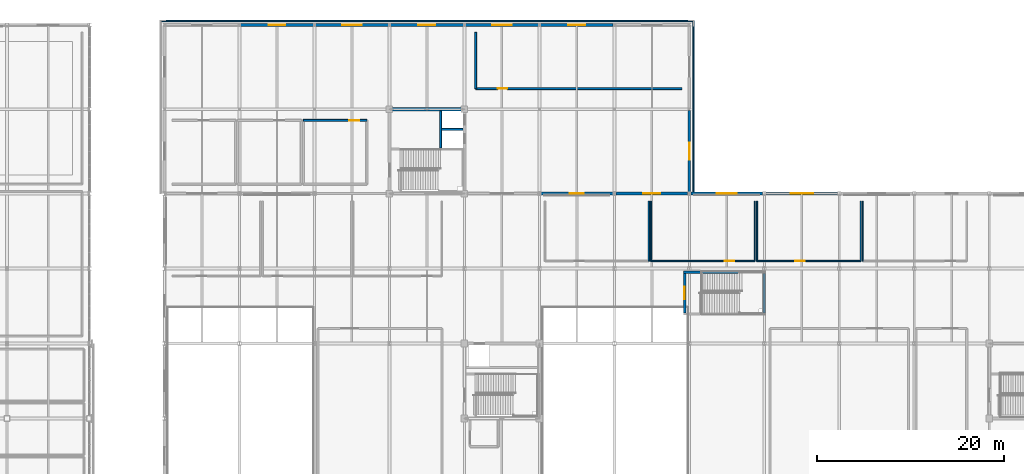
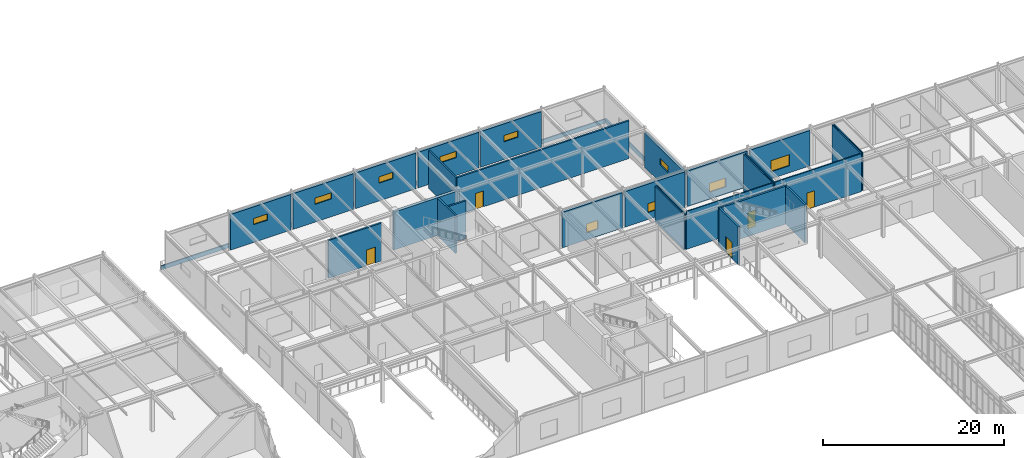
# One storey, part 167 of 184: 29 walls, 10 windows, 5 doors, 15 openings.
"""IFC4 building model written with IfcOpenShell, lengths in metres."""

from ifc_helpers import new_model, si_unit, direction, frame, frame_2d, origin, place, context, subcontext, project, spatial, rectangle, extrude, material, layer, layer_set, type_object, element, fill, save


model = new_model("IFC4")

# Units and contexts
model_context = context("Model", 3, precision=1e-05, world=origin(), true_north=direction((0.0, 1.0)))
body_context = subcontext(model_context, "Body", "Model", "MODEL_VIEW")
ifc_project = project(units=[si_unit("LENGTHUNIT", "METRE"), si_unit("AREAUNIT", "SQUARE_METRE"), si_unit("VOLUMEUNIT", "CUBIC_METRE"), si_unit("PLANEANGLEUNIT", "RADIAN"), si_unit("MASSUNIT", "GRAM", prefix="KILO")], contexts=[model_context])

# Site, building, storey
site_placement = place(None, origin())
site = spatial("IfcSite", under=ifc_project, at=site_placement, CompositionType="ELEMENT")
building_placement = place(site_placement, origin())
building = spatial("IfcBuilding", under=site, at=building_placement, Name="Zhaolan Boulevard Law Courts", CompositionType="ELEMENT")
storey_placement = place(building_placement, frame((0.0, 0.0, 5.39990234375)))
storey = spatial("IfcBuildingStorey", under=building, at=storey_placement, Name="L01", CompositionType="ELEMENT", Elevation=5.39990234375)

# Walls
ifc_material_1 = material(Name="Concrete C50", Category="concrete")
ifc_layer_1 = layer(ifc_material_1, 0.35009765625)
ifc_layer_set_1 = layer_set([ifc_layer_1])
wall_type_1 = type_object("IfcWallType", Name="CORE SHEAR WALL 350", PredefinedType="SHEAR", material=ifc_layer_set_1)
wall_1_placement = place(storey_placement, frame((84.175048828125, 103.0, 0.0), z_axis=(0.0, 0.0, 1.0), x_axis=(-1.0, 0.0, 0.0)))
element("IfcWall", 1, at=wall_1_placement, inside=storey, type_object=wall_type_1, Name="Core Shear Wall CW-C1-L01N", PredefinedType="SHEAR", context=body_context, shape_type="SweptSolid", body=[
    extrude(rectangle(XDim=8.35009765625, YDim=0.35009765625, at=frame_2d((4.175048828125, 0.0))), origin(), (0.0, 0.0, 1.0), 5.1201171875),
])
ifc_material_2 = material(Name="Concrete C40", Category="concrete")
ifc_layer_2 = layer(ifc_material_2, 0.159912109375)
ifc_layer_set_2 = layer_set([ifc_layer_2])
wall_type_2 = type_object("IfcWallType", Name="EXT WALL ARCH CLAD160", PredefinedType="SOLIDWALL", material=ifc_layer_set_2)
wall_2_placement = place(storey_placement, frame((108.419921875, 112.419921875, 0.0), z_axis=(0.0, 0.0, 1.0), x_axis=(-1.0, 0.0, 0.0)))
element("IfcWall", 2, at=wall_2_placement, inside=storey, type_object=wall_type_2, Name="Custody Concrete Spandrel Band CBW-253", PredefinedType="SOLIDWALL", context=body_context, shape_type="SweptSolid", body=[
    extrude(rectangle(XDim=56.83984375, YDim=0.159912109375, at=frame_2d((28.419921875, 0.0))), origin(), (0.0, 0.0, 1.0), 0.550048828125),
])
wall_3_placement = place(storey_placement, frame((108.419921875, 94.0, 0.0), z_axis=(0.0, 0.0, 1.0), x_axis=(0.0, 1.0, 0.0)))
element("IfcWall", 3, at=wall_3_placement, inside=storey, type_object=wall_type_2, Name="Custody Concrete Spandrel Band CBW-254", PredefinedType="SOLIDWALL", context=body_context, shape_type="SweptSolid", body=[
    extrude(rectangle(XDim=18.419921875, YDim=0.159912109375, at=frame_2d((9.2099609375, 0.0))), origin(), (0.0, 0.0, 1.0), 0.550048828125),
])

# Wall, opening, window
ifc_material_3 = material(Name="Concrete C40", Category="concrete")
ifc_layer_3 = layer(ifc_material_3, 0.300048828125)
ifc_layer_set_3 = layer_set([ifc_layer_3])
wall_type_3 = type_object("IfcWallType", Name="EXT WALL CONCRETE300", PredefinedType="SOLIDWALL", material=ifc_layer_set_3)
wall_4_placement = place(storey_placement, frame((99.8291015625, 94.0, 0.0), z_axis=(0.0, 0.0, 1.0), x_axis=(-1.0, 0.0, 0.0)))
wall_4 = element("IfcWall", 4, at=wall_4_placement, inside=storey, type_object=wall_type_3, Name="Exterior Wall EW-L01-220", PredefinedType="SOLIDWALL", context=body_context, shape_type="SweptSolid", body=[
    extrude(rectangle(XDim=7.658203125, YDim=0.300048828125, at=frame_2d((3.8291015625, 0.0))), origin(), (0.0, 0.0, 1.0), 4.802978515625),
])
opening_1_placement = place(wall_4_placement, frame((3.0791015625, 0.0, 0.949951171875)))
opening_1 = element("IfcOpeningElement", 5, at=opening_1_placement, cuts=wall_4, Name="Opening WIN-L01-077", PredefinedType="OPENING", context=body_context, shape_type="SweptSolid", body=[
    extrude(rectangle(XDim=1.5, YDim=1.199951171875, at=frame_2d((0.75, 0.60009765625))), frame((0.0, 0.159912109375, 0.0), z_axis=(0.0, -1.0, 0.0), x_axis=(1.0, 0.0, 0.0)), (0.0, 0.0, 1.0), 0.320068359375),
])
ifc_material_4 = material(Name="Thermally broken aluminium and low-E glazing", Category="aluminium")
window_type_1 = type_object("IfcWindowType", Name="WINDOW 1500X1200", PartitioningType="SINGLE_PANEL", PredefinedType="WINDOW", material=ifc_material_4)
window_1_placement = place(opening_1_placement, origin())
window_1 = element("IfcWindow", 6, at=window_1_placement, inside=storey, type_object=window_type_1, Name="Exterior Window WIN-L01-077", OverallHeight=1.199951171875, OverallWidth=1.5, PartitioningType="SINGLE_PANEL", PredefinedType="WINDOW", context=body_context, shape_type="SweptSolid", body=[
    extrude(rectangle(XDim=1.5, YDim=1.199951171875, at=frame_2d((0.75, 0.60009765625))), frame((0.0, 0.030029296875, 0.0), z_axis=(0.0, -1.0, 0.0), x_axis=(1.0, 0.0, 0.0)), (0.0, 0.0, 1.0), 0.06005859375),
])
fill(opening_1, window_1)

wall_5_placement = place(storey_placement, frame((107.8291015625, 94.0, 0.0), z_axis=(0.0, 0.0, 1.0), x_axis=(-1.0, 0.0, 0.0)))
wall_5 = element("IfcWall", 7, at=wall_5_placement, inside=storey, type_object=wall_type_3, Name="Exterior Wall EW-L01-221", PredefinedType="SOLIDWALL", context=body_context, shape_type="SweptSolid", body=[
    extrude(rectangle(XDim=7.658203125, YDim=0.300048828125, at=frame_2d((3.8291015625, 0.0))), origin(), (0.0, 0.0, 1.0), 4.802978515625),
])
opening_2_placement = place(wall_5_placement, frame((2.928955078125, 0.0, 0.949951171875)))
opening_2 = element("IfcOpeningElement", 8, at=opening_2_placement, cuts=wall_5, Name="Opening WIN-L01-078", PredefinedType="OPENING", context=body_context, shape_type="SweptSolid", body=[
    extrude(rectangle(XDim=1.800048828125, YDim=1.199951171875, at=frame_2d((0.89990234375, 0.60009765625))), frame((0.0, 0.159912109375, 0.0), z_axis=(0.0, -1.0, 0.0), x_axis=(1.0, 0.0, 0.0)), (0.0, 0.0, 1.0), 0.320068359375),
])
ifc_material_5 = material(Name="Thermally broken aluminium and low-E glazing", Category="aluminium")
window_type_2 = type_object("IfcWindowType", Name="WINDOW 1800X1200", PartitioningType="DOUBLE_PANEL_VERTICAL", PredefinedType="WINDOW", material=ifc_material_5)
window_2_placement = place(opening_2_placement, origin())
window_2 = element("IfcWindow", 9, at=window_2_placement, inside=storey, type_object=window_type_2, Name="Exterior Window WIN-L01-078", OverallHeight=1.199951171875, OverallWidth=1.800048828125, PartitioningType="SINGLE_PANEL", PredefinedType="WINDOW", context=body_context, shape_type="SweptSolid", body=[
    extrude(rectangle(XDim=1.800048828125, YDim=1.199951171875, at=frame_2d((0.89990234375, 0.60009765625))), frame((0.0, 0.030029296875, 0.0), z_axis=(0.0, -1.0, 0.0), x_axis=(1.0, 0.0, 0.0)), (0.0, 0.0, 1.0), 0.06005859375),
])
fill(opening_2, window_2)

wall_6_placement = place(storey_placement, frame((115.8291015625, 94.0, 0.0), z_axis=(0.0, 0.0, 1.0), x_axis=(-1.0, 0.0, 0.0)))
wall_6 = element("IfcWall", 10, at=wall_6_placement, inside=storey, type_object=wall_type_3, Name="Exterior Wall EW-L01-222", PredefinedType="SOLIDWALL", context=body_context, shape_type="SweptSolid", body=[
    extrude(rectangle(XDim=7.658203125, YDim=0.300048828125, at=frame_2d((3.8291015625, 0.0))), origin(), (0.0, 0.0, 1.0), 4.802978515625),
])
opening_3_placement = place(wall_6_placement, frame((2.779052734375, 0.0, 0.949951171875)))
opening_3 = element("IfcOpeningElement", 11, at=opening_3_placement, cuts=wall_6, Name="Opening WIN-L01-079", PredefinedType="OPENING", context=body_context, shape_type="SweptSolid", body=[
    extrude(rectangle(XDim=2.10009765625, YDim=1.199951171875, at=frame_2d((1.050048828125, 0.60009765625))), frame((0.0, 0.159912109375, 0.0), z_axis=(0.0, -1.0, 0.0), x_axis=(1.0, 0.0, 0.0)), (0.0, 0.0, 1.0), 0.320068359375),
])
ifc_material_6 = material(Name="Thermally broken aluminium and low-E glazing", Category="aluminium")
window_type_3 = type_object("IfcWindowType", Name="WINDOW 2100X1200", PartitioningType="DOUBLE_PANEL_VERTICAL", PredefinedType="WINDOW", material=ifc_material_6)
window_3_placement = place(opening_3_placement, origin())
window_3 = element("IfcWindow", 12, at=window_3_placement, inside=storey, type_object=window_type_3, Name="Exterior Window WIN-L01-079", OverallHeight=1.199951171875, OverallWidth=2.10009765625, PartitioningType="SINGLE_PANEL", PredefinedType="WINDOW", context=body_context, shape_type="SweptSolid", body=[
    extrude(rectangle(XDim=2.10009765625, YDim=1.199951171875, at=frame_2d((1.050048828125, 0.60009765625))), frame((0.0, 0.030029296875, 0.0), z_axis=(0.0, -1.0, 0.0), x_axis=(1.0, 0.0, 0.0)), (0.0, 0.0, 1.0), 0.06005859375),
])
fill(opening_3, window_3)

wall_7_placement = place(storey_placement, frame((123.8291015625, 94.0, 0.0), z_axis=(0.0, 0.0, 1.0), x_axis=(-1.0, 0.0, 0.0)))
wall_7 = element("IfcWall", 13, at=wall_7_placement, inside=storey, type_object=wall_type_3, Name="Exterior Wall EW-L01-223", PredefinedType="SOLIDWALL", context=body_context, shape_type="SweptSolid", body=[
    extrude(rectangle(XDim=7.658203125, YDim=0.300048828125, at=frame_2d((3.8291015625, 0.0))), origin(), (0.0, 0.0, 1.0), 4.802978515625),
])
opening_4_placement = place(wall_7_placement, frame((2.62890625, 0.0, 0.949951171875)))
opening_4 = element("IfcOpeningElement", 14, at=opening_4_placement, cuts=wall_7, Name="Opening WIN-L01-080", PredefinedType="OPENING", context=body_context, shape_type="SweptSolid", body=[
    extrude(rectangle(XDim=2.39990234375, YDim=1.5, at=frame_2d((1.199951171875, 0.75))), frame((0.0, 0.159912109375, 0.0), z_axis=(0.0, -1.0, 0.0), x_axis=(1.0, 0.0, 0.0)), (0.0, 0.0, 1.0), 0.320068359375),
])
ifc_material_7 = material(Name="Thermally broken aluminium and low-E glazing", Category="aluminium")
window_type_4 = type_object("IfcWindowType", Name="WINDOW 2400X1500", PartitioningType="DOUBLE_PANEL_VERTICAL", PredefinedType="WINDOW", material=ifc_material_7)
window_4_placement = place(opening_4_placement, origin())
window_4 = element("IfcWindow", 15, at=window_4_placement, inside=storey, type_object=window_type_4, Name="Exterior Window WIN-L01-080", OverallHeight=1.5, OverallWidth=2.39990234375, PartitioningType="SINGLE_PANEL", PredefinedType="WINDOW", context=body_context, shape_type="SweptSolid", body=[
    extrude(rectangle(XDim=2.39990234375, YDim=1.5, at=frame_2d((1.199951171875, 0.75))), frame((0.0, 0.030029296875, 0.0), z_axis=(0.0, -1.0, 0.0), x_axis=(1.0, 0.0, 0.0)), (0.0, 0.0, 1.0), 0.06005859375),
])
fill(opening_4, window_4)

wall_8_placement = place(storey_placement, frame((67.87890625, 112.0, 0.0), z_axis=(0.0, 0.0, 1.0), x_axis=(-1.0, 0.0, 0.0)))
wall_8 = element("IfcWall", 16, at=wall_8_placement, inside=storey, type_object=wall_type_3, Name="Exterior Wall EW-L01-318", PredefinedType="SOLIDWALL", context=body_context, shape_type="SweptSolid", body=[
    extrude(rectangle(XDim=7.7578125, YDim=0.300048828125, at=frame_2d((3.87890625, 0.0))), origin(), (0.0, 0.0, 1.0), 4.822998046875),
])
opening_5_placement = place(wall_8_placement, frame((2.97900390625, 0.0, 2.39990234375)))
opening_5 = element("IfcOpeningElement", 17, at=opening_5_placement, cuts=wall_8, Name="Opening WIN-L01-173", PredefinedType="OPENING", context=body_context, shape_type="SweptSolid", body=[
    extrude(rectangle(XDim=1.800048828125, YDim=0.85009765625, at=frame_2d((0.89990234375, 0.425048828125))), frame((0.0, 0.159912109375, 0.0), z_axis=(0.0, -1.0, 0.0), x_axis=(1.0, 0.0, 0.0)), (0.0, 0.0, 1.0), 0.320068359375),
])
ifc_material_8 = material(Name="Thermally broken aluminium and low-E glazing", Category="aluminium")
window_type_5 = type_object("IfcWindowType", Name="WINDOW 1800X850", PartitioningType="DOUBLE_PANEL_VERTICAL", PredefinedType="WINDOW", material=ifc_material_8)
window_5_placement = place(opening_5_placement, origin())
window_5 = element("IfcWindow", 18, at=window_5_placement, inside=storey, type_object=window_type_5, Name="Exterior Window WIN-L01-173", OverallHeight=0.85009765625, OverallWidth=1.800048828125, PartitioningType="SINGLE_PANEL", PredefinedType="WINDOW", context=body_context, shape_type="SweptSolid", body=[
    extrude(rectangle(XDim=1.800048828125, YDim=0.85009765625, at=frame_2d((0.89990234375, 0.425048828125))), frame((0.0, 0.030029296875, 0.0), z_axis=(0.0, -1.0, 0.0), x_axis=(1.0, 0.0, 0.0)), (0.0, 0.0, 1.0), 0.06005859375),
])
fill(opening_5, window_5)

wall_9_placement = place(storey_placement, frame((75.87890625, 112.0, 0.0), z_axis=(0.0, 0.0, 1.0), x_axis=(-1.0, 0.0, 0.0)))
wall_9 = element("IfcWall", 19, at=wall_9_placement, inside=storey, type_object=wall_type_3, Name="Exterior Wall EW-L01-319", PredefinedType="SOLIDWALL", context=body_context, shape_type="SweptSolid", body=[
    extrude(rectangle(XDim=7.7578125, YDim=0.300048828125, at=frame_2d((3.87890625, 0.0))), origin(), (0.0, 0.0, 1.0), 4.822998046875),
])
opening_6_placement = place(wall_9_placement, frame((2.8291015625, 0.0, 2.39990234375)))
opening_6 = element("IfcOpeningElement", 20, at=opening_6_placement, cuts=wall_9, Name="Opening WIN-L01-174", PredefinedType="OPENING", context=body_context, shape_type="SweptSolid", body=[
    extrude(rectangle(XDim=2.10009765625, YDim=0.85009765625, at=frame_2d((1.050048828125, 0.425048828125))), frame((0.0, 0.159912109375, 0.0), z_axis=(0.0, -1.0, 0.0), x_axis=(1.0, 0.0, 0.0)), (0.0, 0.0, 1.0), 0.320068359375),
])
ifc_material_9 = material(Name="Thermally broken aluminium and low-E glazing", Category="aluminium")
window_type_6 = type_object("IfcWindowType", Name="WINDOW 2100X850", PartitioningType="DOUBLE_PANEL_VERTICAL", PredefinedType="WINDOW", material=ifc_material_9)
window_6_placement = place(opening_6_placement, origin())
window_6 = element("IfcWindow", 21, at=window_6_placement, inside=storey, type_object=window_type_6, Name="Exterior Window WIN-L01-174", OverallHeight=0.85009765625, OverallWidth=2.10009765625, PartitioningType="SINGLE_PANEL", PredefinedType="WINDOW", context=body_context, shape_type="SweptSolid", body=[
    extrude(rectangle(XDim=2.10009765625, YDim=0.85009765625, at=frame_2d((1.050048828125, 0.425048828125))), frame((0.0, 0.030029296875, 0.0), z_axis=(0.0, -1.0, 0.0), x_axis=(1.0, 0.0, 0.0)), (0.0, 0.0, 1.0), 0.06005859375),
])
fill(opening_6, window_6)

wall_10_placement = place(storey_placement, frame((83.87890625, 112.0, 0.0), z_axis=(0.0, 0.0, 1.0), x_axis=(-1.0, 0.0, 0.0)))
wall_10 = element("IfcWall", 22, at=wall_10_placement, inside=storey, type_object=wall_type_3, Name="Exterior Wall EW-L01-320", PredefinedType="SOLIDWALL", context=body_context, shape_type="SweptSolid", body=[
    extrude(rectangle(XDim=7.7578125, YDim=0.300048828125, at=frame_2d((3.87890625, 0.0))), origin(), (0.0, 0.0, 1.0), 4.822998046875),
])
opening_7_placement = place(wall_10_placement, frame((2.97900390625, 0.0, 2.39990234375)))
opening_7 = element("IfcOpeningElement", 23, at=opening_7_placement, cuts=wall_10, Name="Opening WIN-L01-175", PredefinedType="OPENING", context=body_context, shape_type="SweptSolid", body=[
    extrude(rectangle(XDim=1.800048828125, YDim=0.85009765625, at=frame_2d((0.89990234375, 0.425048828125))), frame((0.0, 0.159912109375, 0.0), z_axis=(0.0, -1.0, 0.0), x_axis=(1.0, 0.0, 0.0)), (0.0, 0.0, 1.0), 0.320068359375),
])
window_7_placement = place(opening_7_placement, origin())
window_7 = element("IfcWindow", 24, at=window_7_placement, inside=storey, type_object=window_type_5, Name="Exterior Window WIN-L01-175", OverallHeight=0.85009765625, OverallWidth=1.800048828125, PartitioningType="SINGLE_PANEL", PredefinedType="WINDOW", context=body_context, shape_type="SweptSolid", body=[
    extrude(rectangle(XDim=1.800048828125, YDim=0.85009765625, at=frame_2d((0.89990234375, 0.425048828125))), frame((0.0, 0.030029296875, 0.0), z_axis=(0.0, -1.0, 0.0), x_axis=(1.0, 0.0, 0.0)), (0.0, 0.0, 1.0), 0.06005859375),
])
fill(opening_7, window_7)

wall_11_placement = place(storey_placement, frame((91.87890625, 112.0, 0.0), z_axis=(0.0, 0.0, 1.0), x_axis=(-1.0, 0.0, 0.0)))
wall_11 = element("IfcWall", 25, at=wall_11_placement, inside=storey, type_object=wall_type_3, Name="Exterior Wall EW-L01-321", PredefinedType="SOLIDWALL", context=body_context, shape_type="SweptSolid", body=[
    extrude(rectangle(XDim=7.7578125, YDim=0.300048828125, at=frame_2d((3.87890625, 0.0))), origin(), (0.0, 0.0, 1.0), 4.822998046875),
])
opening_8_placement = place(wall_11_placement, frame((2.8291015625, 0.0, 2.39990234375)))
opening_8 = element("IfcOpeningElement", 26, at=opening_8_placement, cuts=wall_11, Name="Opening WIN-L01-176", PredefinedType="OPENING", context=body_context, shape_type="SweptSolid", body=[
    extrude(rectangle(XDim=2.10009765625, YDim=0.85009765625, at=frame_2d((1.050048828125, 0.425048828125))), frame((0.0, 0.159912109375, 0.0), z_axis=(0.0, -1.0, 0.0), x_axis=(1.0, 0.0, 0.0)), (0.0, 0.0, 1.0), 0.320068359375),
])
window_8_placement = place(opening_8_placement, origin())
window_8 = element("IfcWindow", 27, at=window_8_placement, inside=storey, type_object=window_type_6, Name="Exterior Window WIN-L01-176", OverallHeight=0.85009765625, OverallWidth=2.10009765625, PartitioningType="SINGLE_PANEL", PredefinedType="WINDOW", context=body_context, shape_type="SweptSolid", body=[
    extrude(rectangle(XDim=2.10009765625, YDim=0.85009765625, at=frame_2d((1.050048828125, 0.425048828125))), frame((0.0, 0.030029296875, 0.0), z_axis=(0.0, -1.0, 0.0), x_axis=(1.0, 0.0, 0.0)), (0.0, 0.0, 1.0), 0.06005859375),
])
fill(opening_8, window_8)

wall_12_placement = place(storey_placement, frame((99.87890625, 112.0, 0.0), z_axis=(0.0, 0.0, 1.0), x_axis=(-1.0, 0.0, 0.0)))
wall_12 = element("IfcWall", 28, at=wall_12_placement, inside=storey, type_object=wall_type_3, Name="Exterior Wall EW-L01-322", PredefinedType="SOLIDWALL", context=body_context, shape_type="SweptSolid", body=[
    extrude(rectangle(XDim=7.7578125, YDim=0.300048828125, at=frame_2d((3.87890625, 0.0))), origin(), (0.0, 0.0, 1.0), 4.822998046875),
])
opening_9_placement = place(wall_12_placement, frame((2.97900390625, 0.0, 2.39990234375)))
opening_9 = element("IfcOpeningElement", 29, at=opening_9_placement, cuts=wall_12, Name="Opening WIN-L01-177", PredefinedType="OPENING", context=body_context, shape_type="SweptSolid", body=[
    extrude(rectangle(XDim=1.800048828125, YDim=0.85009765625, at=frame_2d((0.89990234375, 0.425048828125))), frame((0.0, 0.159912109375, 0.0), z_axis=(0.0, -1.0, 0.0), x_axis=(1.0, 0.0, 0.0)), (0.0, 0.0, 1.0), 0.320068359375),
])
window_9_placement = place(opening_9_placement, origin())
window_9 = element("IfcWindow", 30, at=window_9_placement, inside=storey, type_object=window_type_5, Name="Exterior Window WIN-L01-177", OverallHeight=0.85009765625, OverallWidth=1.800048828125, PartitioningType="SINGLE_PANEL", PredefinedType="WINDOW", context=body_context, shape_type="SweptSolid", body=[
    extrude(rectangle(XDim=1.800048828125, YDim=0.85009765625, at=frame_2d((0.89990234375, 0.425048828125))), frame((0.0, 0.030029296875, 0.0), z_axis=(0.0, -1.0, 0.0), x_axis=(1.0, 0.0, 0.0)), (0.0, 0.0, 1.0), 0.06005859375),
])
fill(opening_9, window_9)

wall_13_placement = place(storey_placement, frame((108.0, 94.1708984375, 0.0), z_axis=(0.0, 0.0, 1.0), x_axis=(0.0, 1.0, 0.0)))
wall_13 = element("IfcWall", 31, at=wall_13_placement, inside=storey, type_object=wall_type_3, Name="Exterior Wall EW-L01-326", PredefinedType="SOLIDWALL", context=body_context, shape_type="SweptSolid", body=[
    extrude(rectangle(XDim=8.7080078125, YDim=0.300048828125, at=frame_2d((4.35400390625, 0.0))), origin(), (0.0, 0.0, 1.0), 4.64111328125),
])
opening_10_placement = place(wall_13_placement, frame((3.428955078125, 0.0, 2.39990234375)))
opening_10 = element("IfcOpeningElement", 32, at=opening_10_placement, cuts=wall_13, Name="Opening WIN-L01-181", PredefinedType="OPENING", context=body_context, shape_type="SweptSolid", body=[
    extrude(rectangle(XDim=1.800048828125, YDim=0.85009765625, at=frame_2d((0.89990234375, 0.425048828125))), frame((0.0, 0.159912109375, 0.0), z_axis=(0.0, -1.0, 0.0), x_axis=(1.0, 0.0, 0.0)), (0.0, 0.0, 1.0), 0.320068359375),
])
window_10_placement = place(opening_10_placement, origin())
window_10 = element("IfcWindow", 33, at=window_10_placement, inside=storey, type_object=window_type_5, Name="Exterior Window WIN-L01-181", OverallHeight=0.85009765625, OverallWidth=1.800048828125, PartitioningType="SINGLE_PANEL", PredefinedType="WINDOW", context=body_context, shape_type="SweptSolid", body=[
    extrude(rectangle(XDim=1.800048828125, YDim=0.85009765625, at=frame_2d((0.89990234375, 0.425048828125))), frame((0.0, 0.030029296875, 0.0), z_axis=(0.0, -1.0, 0.0), x_axis=(1.0, 0.0, 0.0)), (0.0, 0.0, 1.0), 0.06005859375),
])
fill(opening_10, window_10)

# Walls
ifc_material_10 = material(Name="Concrete C40", Category="concrete")
ifc_layer_4 = layer(ifc_material_10, 0.2099609375)
ifc_layer_set_4 = layer_set([ifc_layer_4])
wall_type_4 = type_object("IfcWallType", Name="PART WALL CUSTODY210", PredefinedType="PARTITIONING", material=ifc_layer_set_4)
wall_14_placement = place(storey_placement, frame((81.465087890625, 98.8720703125, 0.0), z_axis=(0.0, 0.0, 1.0), x_axis=(0.0, 1.0, 0.0)))
element("IfcWall", 34, at=wall_14_placement, inside=storey, type_object=wall_type_4, Name="Lift Shaft Enclosure Wall C1W (L01)", PredefinedType="PARTITIONING", context=body_context, shape_type="SweptSolid", body=[
    extrude(rectangle(XDim=3.950927734375, YDim=0.2099609375, at=frame_2d((1.9755859375, 0.0))), origin(), (0.0, 0.0, 1.0), 5.1201171875),
])
wall_15_placement = place(storey_placement, frame((81.572021484375, 100.85009765625, 0.0), z_axis=(0.0, 0.0, 1.0), x_axis=(1.0, 0.0, 0.0)))
element("IfcWall", 35, at=wall_15_placement, inside=storey, type_object=wall_type_4, Name="Lift Shaft Divider Wall C1 (L01)", PredefinedType="PARTITIONING", context=body_context, shape_type="SweptSolid", body=[
    extrude(rectangle(XDim=2.2509765625, YDim=0.2099609375, at=frame_2d((1.12548828125, 0.0))), origin(), (0.0, 0.0, 1.0), 5.1201171875),
])

# Wall, opening, door
wall_16_placement = place(storey_placement, frame((73.60009765625, 101.800048828125, 0.0), z_axis=(0.0, 0.0, 1.0), x_axis=(-1.0, 0.0, 0.0)))
wall_16 = element("IfcWall", 36, at=wall_16_placement, inside=storey, type_object=wall_type_4, Name="Interior Partition PW-L01-431", PredefinedType="PARTITIONING", context=body_context, shape_type="SweptSolid", body=[
    extrude(rectangle(XDim=6.787109375, YDim=0.2099609375, at=frame_2d((3.3935546875, 0.0))), origin(), (0.0, 0.0, 1.0), 5.1201171875),
])
opening_11_placement = place(wall_16_placement, frame((0.80908203125, 0.0, 0.0)))
opening_11 = element("IfcOpeningElement", 37, at=opening_11_placement, cuts=wall_16, Name="Opening CD-L01-133", PredefinedType="OPENING", context=body_context, shape_type="SweptSolid", body=[
    extrude(rectangle(XDim=1.10009765625, YDim=2.14990234375, at=frame_2d((0.550048828125, 1.074951171875))), frame((0.0, 0.114990234375, 0.0), z_axis=(0.0, -1.0, 0.0), x_axis=(1.0, 0.0, 0.0)), (0.0, 0.0, 1.0), 0.22998046875),
])
ifc_material_11 = material(Name="Fire-rated steel acoustic door", Category="steel")
door_type_1 = type_object("IfcDoorType", Name="CUSTODY DOOR 1100X2150 L", OperationType="SINGLE_SWING_LEFT", PredefinedType="DOOR", material=ifc_material_11)
door_1_placement = place(opening_11_placement, origin())
door_1 = element("IfcDoor", 38, at=door_1_placement, inside=storey, type_object=door_type_1, Name="Door CD-L01-133 (Custody Suite Cell L01-03)", OperationType="SINGLE_SWING_LEFT", OverallHeight=2.14990234375, OverallWidth=1.10009765625, PredefinedType="DOOR", context=body_context, shape_type="SweptSolid", body=[
    extrude(rectangle(XDim=1.10009765625, YDim=2.14990234375, at=frame_2d((0.550048828125, 1.074951171875))), frame((0.0, 0.02490234375, 0.0), z_axis=(0.0, -1.0, 0.0), x_axis=(1.0, 0.0, 0.0)), (0.0, 0.0, 1.0), 0.050048828125),
])
fill(opening_11, door_1)

wall_17_placement = place(storey_placement, frame((85.199951171875, 105.199951171875, 0.0), z_axis=(0.0, 0.0, 1.0), x_axis=(1.0, 0.0, 0.0)))
wall_17 = element("IfcWall", 39, at=wall_17_placement, inside=storey, type_object=wall_type_4, Name="Interior Partition PW-L01-434", PredefinedType="PARTITIONING", context=body_context, shape_type="SweptSolid", body=[
    extrude(rectangle(XDim=22.0, YDim=0.2099609375, at=frame_2d((11.0, 0.0))), origin(), (0.0, 0.0, 1.0), 5.1201171875),
])
opening_12_placement = place(wall_17_placement, frame((2.3349609375, 0.0, 0.0)))
opening_12 = element("IfcOpeningElement", 40, at=opening_12_placement, cuts=wall_17, Name="Opening CD-L01-134", PredefinedType="OPENING", context=body_context, shape_type="SweptSolid", body=[
    extrude(rectangle(XDim=1.050048828125, YDim=2.14990234375, at=frame_2d((0.52490234375, 1.074951171875))), frame((0.0, 0.114990234375, 0.0), z_axis=(0.0, -1.0, 0.0), x_axis=(1.0, 0.0, 0.0)), (0.0, 0.0, 1.0), 0.22998046875),
])
ifc_material_12 = material(Name="Fire-rated steel acoustic door", Category="steel")
door_type_2 = type_object("IfcDoorType", Name="CUSTODY DOOR 1050X2150 R", OperationType="SINGLE_SWING_RIGHT", PredefinedType="DOOR", material=ifc_material_12)
door_2_placement = place(opening_12_placement, origin())
door_2 = element("IfcDoor", 41, at=door_2_placement, inside=storey, type_object=door_type_2, Name="Door CD-L01-134 (Juvenile Custody Suite L01)", OperationType="SINGLE_SWING_RIGHT", OverallHeight=2.14990234375, OverallWidth=1.050048828125, PredefinedType="DOOR", context=body_context, shape_type="SweptSolid", body=[
    extrude(rectangle(XDim=1.050048828125, YDim=2.14990234375, at=frame_2d((0.52490234375, 1.074951171875))), frame((0.0, 0.02490234375, 0.0), z_axis=(0.0, -1.0, 0.0), x_axis=(1.0, 0.0, 0.0)), (0.0, 0.0, 1.0), 0.050048828125),
])
fill(opening_12, door_2)

# Wall
wall_18_placement = place(storey_placement, frame((85.199951171875, 111.199951171875, 0.0), z_axis=(0.0, 0.0, 1.0), x_axis=(0.0, -1.0, 0.0)))
element("IfcWall", 42, at=wall_18_placement, inside=storey, type_object=wall_type_4, Name="Interior Partition PW-L01-435", PredefinedType="PARTITIONING", context=body_context, shape_type="SweptSolid", body=[
    extrude(rectangle(XDim=6.0, YDim=0.2099609375, at=frame_2d((3.0, 0.0))), origin(), (0.0, 0.0, 1.0), 5.1201171875),
])

# Wall, opening, door
ifc_material_13 = material(Name="Gypsum board stud partition")
ifc_layer_5 = layer(ifc_material_13, 0.1201171875)
ifc_layer_set_5 = layer_set([ifc_layer_5])
wall_type_5 = type_object("IfcWallType", Name="PART WALL LIGHT120", PredefinedType="PARTITIONING", material=ifc_layer_set_5)
wall_19_placement = place(storey_placement, frame((103.905029296875, 86.800048828125, 0.0), z_axis=(0.0, 0.0, 1.0), x_axis=(1.0, 0.0, 0.0)))
wall_19 = element("IfcWall", 43, at=wall_19_placement, inside=storey, type_object=wall_type_5, Name="Interior Partition PW-L01-384", PredefinedType="PARTITIONING", context=body_context, shape_type="SweptSolid", body=[
    extrude(rectangle(XDim=11.0849609375, YDim=0.1201171875, at=frame_2d((5.54248046875, 0.0))), origin(), (0.0, 0.0, 1.0), 5.1201171875),
])
opening_13_placement = place(wall_19_placement, frame((7.887939453125, 0.0, 0.0)))
opening_13 = element("IfcOpeningElement", 44, at=opening_13_placement, cuts=wall_19, Name="Opening JD-L01-120", PredefinedType="OPENING", context=body_context, shape_type="SweptSolid", body=[
    extrude(rectangle(XDim=1.0, YDim=2.199951171875, at=frame_2d((0.5, 1.10009765625))), frame((0.0, 0.070068359375, 0.0), z_axis=(0.0, -1.0, 0.0), x_axis=(1.0, 0.0, 0.0)), (0.0, 0.0, 1.0), 0.14013671875),
])
ifc_material_14 = material(Name="Solid-core acoustic oak veneer door")
door_type_3 = type_object("IfcDoorType", Name="CHAMBER DOOR 1000X2200 L", OperationType="SINGLE_SWING_LEFT", PredefinedType="DOOR", material=ifc_material_14)
door_3_placement = place(opening_13_placement, origin())
door_3 = element("IfcDoor", 45, at=door_3_placement, inside=storey, type_object=door_type_3, Name="Door JD-L01-120 (Judges' Chambers L01-02)", OperationType="SINGLE_SWING_LEFT", OverallHeight=2.199951171875, OverallWidth=1.0, PredefinedType="DOOR", context=body_context, shape_type="SweptSolid", body=[
    extrude(rectangle(XDim=1.0, YDim=2.199951171875, at=frame_2d((0.5, 1.10009765625))), frame((0.0, 0.02490234375, 0.0), z_axis=(0.0, -1.0, 0.0), x_axis=(1.0, 0.0, 0.0)), (0.0, 0.0, 1.0), 0.050048828125),
])
fill(opening_13, door_3)

# Walls
wall_20_placement = place(storey_placement, frame((103.905029296875, 93.199951171875, 0.0), z_axis=(0.0, 0.0, 1.0), x_axis=(0.0, -1.0, 0.0)))
element("IfcWall", 46, at=wall_20_placement, inside=storey, type_object=wall_type_5, Name="Interior Partition PW-L01-385", PredefinedType="PARTITIONING", context=body_context, shape_type="SweptSolid", body=[
    extrude(rectangle(XDim=6.39990234375, YDim=0.1201171875, at=frame_2d((3.199951171875, 0.0))), origin(), (0.0, 0.0, 1.0), 4.756103515625),
])
for number, where, z_axis, x_axis, name in (
    (47, (114.989990234375, 86.800048828125, 0.0), (0.0, 0.0, 1.0), (0.0, 1.0, 0.0), "Interior Partition PW-L01-386"),
    (48, (126.514892578125, 93.199951171875, 0.0), (0.0, 0.0, 1.0), (0.0, -1.0, 0.0), "Interior Partition PW-L01-391"),
):
    element("IfcWall", number, at=place(storey_placement, frame(where, z_axis=z_axis, x_axis=x_axis)), inside=storey, type_object=wall_type_5, Name=name, PredefinedType="PARTITIONING", context=body_context, shape_type="SweptSolid", body=[
        extrude(rectangle(XDim=6.39990234375, YDim=0.1201171875, at=frame_2d((3.199951171875, 0.0))), origin(), (0.0, 0.0, 1.0), 5.1201171875),
    ])
ifc_material_15 = material(Name="Fire-rated gypsum stud partition")
ifc_layer_6 = layer(ifc_material_15, 0.139892578125)
ifc_layer_set_6 = layer_set([ifc_layer_6])
wall_type_6 = type_object("IfcWallType", Name="PART WALL OFFICE140", PredefinedType="PARTITIONING", material=ifc_layer_set_6)
wall_21_placement = place(storey_placement, frame((103.68505859375, 86.800048828125, 0.0), z_axis=(0.0, 0.0, 1.0), x_axis=(0.0, 1.0, 0.0)))
element("IfcWall", 49, at=wall_21_placement, inside=storey, type_object=wall_type_6, Name="Interior Partition PW-L01-383", PredefinedType="PARTITIONING", context=body_context, shape_type="SweptSolid", body=[
    extrude(rectangle(XDim=6.39990234375, YDim=0.139892578125, at=frame_2d((3.199951171875, 0.0))), origin(), (0.0, 0.0, 1.0), 4.756103515625),
])

# Wall, opening, door
wall_22_placement = place(storey_placement, frame((115.2099609375, 86.800048828125, 0.0), z_axis=(0.0, 0.0, 1.0), x_axis=(1.0, 0.0, 0.0)))
wall_22 = element("IfcWall", 50, at=wall_22_placement, inside=storey, type_object=wall_type_6, Name="Interior Partition PW-L01-387", PredefinedType="PARTITIONING", context=body_context, shape_type="SweptSolid", body=[
    extrude(rectangle(XDim=11.0849609375, YDim=0.139892578125, at=frame_2d((5.54248046875, 0.0))), origin(), (0.0, 0.0, 1.0), 5.1201171875),
])
opening_14_placement = place(wall_22_placement, frame((4.10205078125, 0.0, 0.0)))
opening_14 = element("IfcOpeningElement", 51, at=opening_14_placement, cuts=wall_22, Name="Opening JD-L01-121", PredefinedType="OPENING", context=body_context, shape_type="SweptSolid", body=[
    extrude(rectangle(XDim=0.97998046875, YDim=2.199951171875, at=frame_2d((0.489990234375, 1.10009765625))), frame((0.0, 0.079833984375, 0.0), z_axis=(0.0, -1.0, 0.0), x_axis=(1.0, 0.0, 0.0)), (0.0, 0.0, 1.0), 0.159912109375),
])
ifc_material_16 = material(Name="Solid-core acoustic oak veneer door")
door_type_4 = type_object("IfcDoorType", Name="CHAMBER DOOR 980X2200 R", OperationType="SINGLE_SWING_RIGHT", PredefinedType="DOOR", material=ifc_material_16)
door_4_placement = place(opening_14_placement, origin())
door_4 = element("IfcDoor", 52, at=door_4_placement, inside=storey, type_object=door_type_4, Name="Door JD-L01-121 (Judges' Chambers L01-03)", OperationType="SINGLE_SWING_RIGHT", OverallHeight=2.199951171875, OverallWidth=0.97998046875, PredefinedType="DOOR", context=body_context, shape_type="SweptSolid", body=[
    extrude(rectangle(XDim=0.97998046875, YDim=2.199951171875, at=frame_2d((0.489990234375, 1.10009765625))), frame((0.0, 0.02490234375, 0.0), z_axis=(0.0, -1.0, 0.0), x_axis=(1.0, 0.0, 0.0)), (0.0, 0.0, 1.0), 0.050048828125),
])
fill(opening_14, door_4)

# Walls
for number, where, z_axis, x_axis, name in (
    (53, (115.2099609375, 93.199951171875, 0.0), (0.0, 0.0, 1.0), (0.0, -1.0, 0.0), "Interior Partition PW-L01-388"),
    (54, (126.294921875, 86.800048828125, 0.0), (0.0, 0.0, 1.0), (0.0, 1.0, 0.0), "Interior Partition PW-L01-389"),
):
    element("IfcWall", number, at=place(storey_placement, frame(where, z_axis=z_axis, x_axis=x_axis)), inside=storey, type_object=wall_type_6, Name=name, PredefinedType="PARTITIONING", context=body_context, shape_type="SweptSolid", body=[
        extrude(rectangle(XDim=6.39990234375, YDim=0.139892578125, at=frame_2d((3.199951171875, 0.0))), origin(), (0.0, 0.0, 1.0), 5.1201171875),
    ])
ifc_material_17 = material(Name="Concrete C50", Category="concrete")
ifc_layer_7 = layer(ifc_material_17, 0.239990234375)
ifc_layer_set_7 = layer_set([ifc_layer_7])
wall_type_7 = type_object("IfcWallType", Name="STAIR WELL WALL 240", PredefinedType="SHEAR", material=ifc_layer_set_7)
wall_23_placement = place(storey_placement, frame((116.1201171875, 85.60009765625, 0.0), z_axis=(0.0, 0.0, 1.0), x_axis=(-1.0, 0.0, 0.0)))
element("IfcWall", 55, at=wall_23_placement, inside=storey, type_object=wall_type_7, Name="Stairwell Shear Wall ST13-L01N", PredefinedType="SHEAR", context=body_context, shape_type="SweptSolid", body=[
    extrude(rectangle(XDim=8.740234375, YDim=0.239990234375, at=frame_2d((4.3701171875, 0.0))), origin(), (0.0, 0.0, 1.0), 5.1201171875),
])

# Wall, opening, door
wall_24_placement = place(storey_placement, frame((107.5, 81.27001953125, 0.0), z_axis=(0.0, 0.0, 1.0), x_axis=(0.0, 1.0, 0.0)))
wall_24 = element("IfcWall", 56, at=wall_24_placement, inside=storey, type_object=wall_type_7, Name="Stairwell Shear Wall ST13-L01W", PredefinedType="SHEAR", context=body_context, shape_type="SweptSolid", body=[
    extrude(rectangle(XDim=4.2099609375, YDim=0.239990234375, at=frame_2d((2.10498046875, 0.0))), origin(), (0.0, 0.0, 1.0), 5.1201171875),
])
opening_15_placement = place(wall_24_placement, frame((1.429931640625, 0.0, 0.0)))
opening_15 = element("IfcOpeningElement", 57, at=opening_15_placement, cuts=wall_24, Name="Opening SD-L01-64", PredefinedType="OPENING", context=body_context, shape_type="SweptSolid", body=[
    extrude(rectangle(XDim=1.35009765625, YDim=2.199951171875, at=frame_2d((0.675048828125, 1.10009765625))), frame((0.0, 0.1298828125, 0.0), z_axis=(0.0, -1.0, 0.0), x_axis=(1.0, 0.0, 0.0)), (0.0, 0.0, 1.0), 0.260009765625),
])
ifc_material_18 = material(Name="Fire-rated steel acoustic door", Category="steel")
door_type_5 = type_object("IfcDoorType", Name="STAIR FIRE 1350X2200 R", OperationType="SINGLE_SWING_RIGHT", PredefinedType="DOOR", material=ifc_material_18)
door_5_placement = place(opening_15_placement, origin())
door_5 = element("IfcDoor", 58, at=door_5_placement, inside=storey, type_object=door_type_5, Name="Smoke-Proof Stairwell Fire Door SD-L01-64", OperationType="SINGLE_SWING_RIGHT", OverallHeight=2.199951171875, OverallWidth=1.35009765625, PredefinedType="DOOR", context=body_context, shape_type="SweptSolid", body=[
    extrude(rectangle(XDim=1.35009765625, YDim=2.199951171875, at=frame_2d((0.675048828125, 1.10009765625))), frame((0.0, 0.02490234375, 0.0), z_axis=(0.0, -1.0, 0.0), x_axis=(1.0, 0.0, 0.0)), (0.0, 0.0, 1.0), 0.050048828125),
])
fill(opening_15, door_5)

# Wall
wall_25_placement = place(storey_placement, frame((116.0, 81.27001953125, 0.0), z_axis=(0.0, 0.0, 1.0), x_axis=(0.0, 1.0, 0.0)))
element("IfcWall", 59, at=wall_25_placement, inside=storey, type_object=wall_type_7, Name="Stairwell Shear Wall ST13-L01E", PredefinedType="SHEAR", context=body_context, shape_type="SweptSolid", body=[
    extrude(rectangle(XDim=4.2099609375, YDim=0.239990234375, at=frame_2d((2.10498046875, 0.0))), origin(), (0.0, 0.0, 1.0), 5.1201171875),
])

save(model, "model.ifc")
